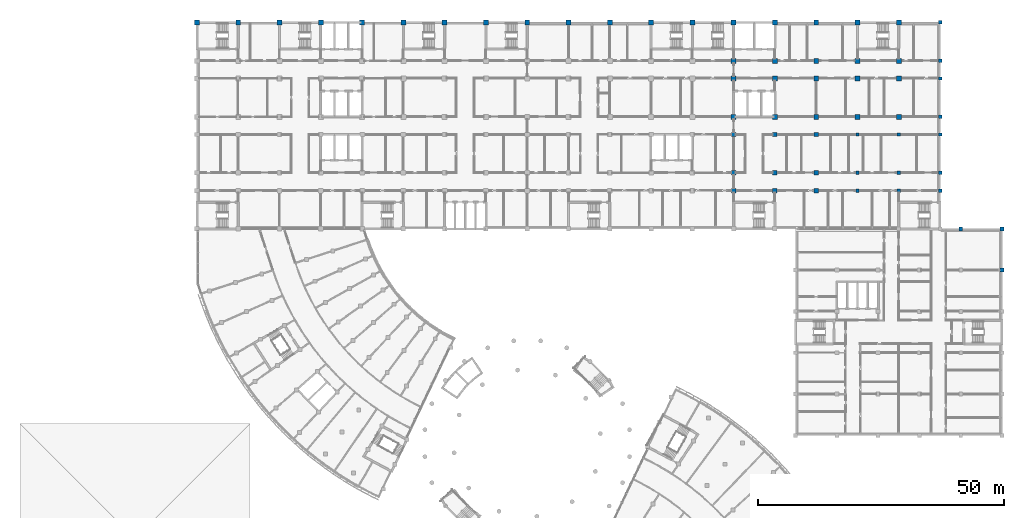
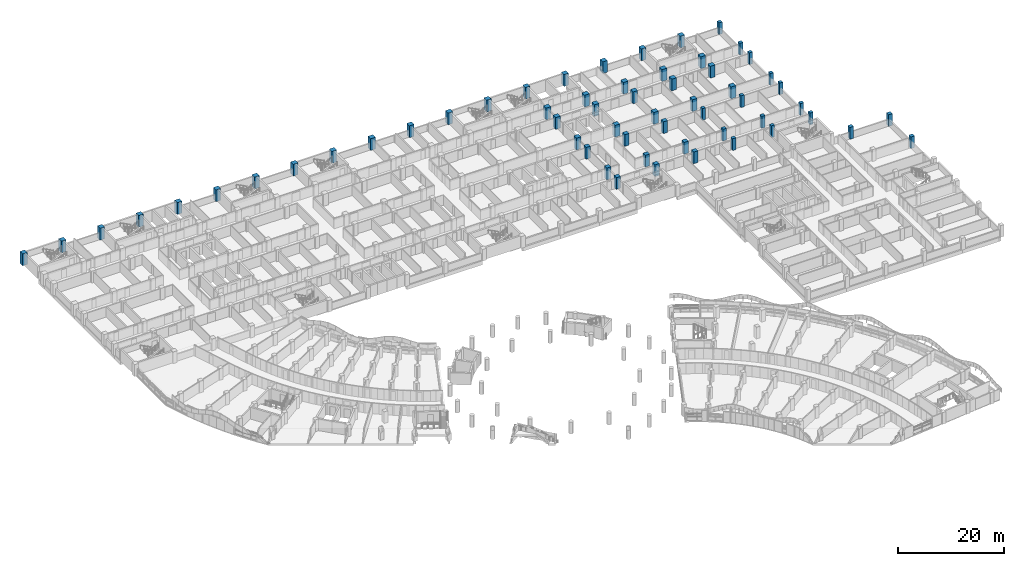
# One storey, part 2 of 89: 58 columns.
"""IFC4 building model written with IfcOpenShell, lengths in metres."""

from ifc_helpers import new_model, si_unit, direction, frame, origin, origin_2d, place, context, subcontext, project, spatial, rectangle, extrude, material, material_profile, profile_set, type_object, element, save


model = new_model("IFC4")

# Units and contexts
model_context = context("Model", 3, precision=1e-05, world=origin(), true_north=direction((0.0, 1.0)))
body_context = subcontext(model_context, "Body", "Model", "MODEL_VIEW")
ifc_project = project(units=[si_unit("LENGTHUNIT", "METRE"), si_unit("AREAUNIT", "SQUARE_METRE"), si_unit("VOLUMEUNIT", "CUBIC_METRE"), si_unit("PLANEANGLEUNIT", "RADIAN"), si_unit("MASSUNIT", "GRAM", prefix="KILO")], contexts=[model_context])

# Site, building, storey
site_placement = place(None, origin())
site = spatial("IfcSite", under=ifc_project, at=site_placement, CompositionType="ELEMENT")
building_placement = place(site_placement, origin())
building = spatial("IfcBuilding", under=site, at=building_placement, Name="Bougainvillea Quay General Hospital", CompositionType="ELEMENT")
storey_placement = place(building_placement, frame((0.0, 0.0, 9.89990234375)))
storey = spatial("IfcBuildingStorey", under=building, at=storey_placement, Name="L01M", CompositionType="ELEMENT", Elevation=9.89990234375)

# Columns
ifc_material = material(Name="Concrete C50", Category="concrete")
ifc_material_profile_1 = material_profile(ifc_material, rectangle(XDim=1.0, YDim=1.0, at=origin_2d()))
ifc_profile_set_1 = profile_set([ifc_material_profile_1], Name="Concrete C50")
column_type_1 = type_object("IfcColumnType", Name="RC COL 1000x1000 C50", PredefinedType="COLUMN", material=ifc_profile_set_1)
for number, where, z_axis, x_axis, name in (
    (1, (42.0, 159.60009765625, 0.0), (0.0, 0.0, 1.0), (1.0, 0.0, 0.0), "Column C-V4-007 L01M"),
    (2, (50.39990234375, 159.60009765625, 0.0), (0.0, 0.0, 1.0), (1.0, 0.0, 0.0), "Column C-V4-017 L01M"),
    (3, (58.800048828125, 159.60009765625, 0.0), (0.0, 0.0, 1.0), (1.0, 0.0, 0.0), "Column C-V4-027 L01M"),
    (4, (67.199951171875, 159.60009765625, 0.0), (0.0, 0.0, 1.0), (1.0, 0.0, 0.0), "Column C-V4-037 L01M"),
    (5, (75.60009765625, 159.60009765625, 0.0), (0.0, 0.0, 1.0), (1.0, 0.0, 0.0), "Column C-V4-047 L01M"),
    (6, (84.0, 159.60009765625, 0.0), (0.0, 0.0, 1.0), (1.0, 0.0, 0.0), "Column C-V4-057 L01M"),
    (7, (92.39990234375, 159.60009765625, 0.0), (0.0, 0.0, 1.0), (1.0, 0.0, 0.0), "Column C-V4-067 L01M"),
    (8, (100.800048828125, 159.60009765625, 0.0), (0.0, 0.0, 1.0), (1.0, 0.0, 0.0), "Column C-V4-077 L01M"),
    (9, (109.199951171875, 159.60009765625, 0.0), (0.0, 0.0, 1.0), (1.0, 0.0, 0.0), "Column C-V4-087 L01M"),
    (10, (117.60009765625, 159.60009765625, 0.0), (0.0, 0.0, 1.0), (1.0, 0.0, 0.0), "Column C-V4-097 L01M"),
    (11, (126.0, 159.60009765625, 0.0), (0.0, 0.0, 1.0), (1.0, 0.0, 0.0), "Column C-V4-107 L01M"),
    (12, (134.39990234375, 159.60009765625, 0.0), (0.0, 0.0, 1.0), (1.0, 0.0, 0.0), "Column C-V4-117 L01M"),
    (13, (142.800048828125, 159.60009765625, 0.0), (0.0, 0.0, 1.0), (1.0, 0.0, 0.0), "Column C-V4-127 L01M"),
    (14, (151.199951171875, 140.39990234375, 0.0), (0.0, 0.0, 1.0), (1.0, 0.0, 0.0), "Column C-V4-134 L01M"),
    (15, (151.199951171875, 148.199951171875, 0.0), (0.0, 0.0, 1.0), (1.0, 0.0, 0.0), "Column C-V4-135 L01M"),
    (16, (151.199951171875, 151.800048828125, 0.0), (0.0, 0.0, 1.0), (1.0, 0.0, 0.0), "Column C-V4-136 L01M"),
    (17, (151.199951171875, 159.60009765625, 0.0), (0.0, 0.0, 1.0), (1.0, 0.0, 0.0), "Column C-V4-137 L01M"),
    (18, (159.60009765625, 140.39990234375, 0.0), (0.0, 0.0, 1.0), (1.0, 0.0, 0.0), "Column C-V4-144 L01M"),
    (19, (159.60009765625, 148.199951171875, 0.0), (0.0, 0.0, 1.0), (1.0, 0.0, 0.0), "Column C-V4-145 L01M"),
    (20, (159.60009765625, 151.800048828125, 0.0), (0.0, 0.0, 1.0), (1.0, 0.0, 0.0), "Column C-V4-146 L01M"),
    (21, (159.60009765625, 159.60009765625, 0.0), (0.0, 0.0, 1.0), (1.0, 0.0, 0.0), "Column C-V4-147 L01M"),
    (22, (168.0, 140.39990234375, 0.0), (0.0, 0.0, 1.0), (1.0, 0.0, 0.0), "Column C-V4-154 L01M"),
    (23, (168.0, 148.199951171875, 0.0), (0.0, 0.0, 1.0), (1.0, 0.0, 0.0), "Column C-V4-155 L01M"),
    (24, (168.0, 151.800048828125, 0.0), (0.0, 0.0, 1.0), (1.0, 0.0, 0.0), "Column C-V4-156 L01M"),
    (25, (168.0, 159.60009765625, 0.0), (0.0, 0.0, 1.0), (1.0, 0.0, 0.0), "Column C-V4-157 L01M"),
    (26, (176.39990234375, 140.39990234375, 0.0), (0.0, 0.0, 1.0), (1.0, 0.0, 0.0), "Column C-V4-164 L01M"),
    (27, (176.39990234375, 148.199951171875, 0.0), (0.0, 0.0, 1.0), (1.0, 0.0, 0.0), "Column C-V4-165 L01M"),
    (28, (176.39990234375, 151.800048828125, 0.0), (0.0, 0.0, 1.0), (1.0, 0.0, 0.0), "Column C-V4-166 L01M"),
    (29, (176.39990234375, 159.60009765625, 0.0), (0.0, 0.0, 1.0), (1.0, 0.0, 0.0), "Column C-V4-167 L01M"),
    (30, (184.800048828125, 140.39990234375, 0.0), (0.0, 0.0, 1.0), (1.0, 0.0, 0.0), "Column C-V4-174 L01M"),
    (31, (184.800048828125, 148.199951171875, 0.0), (0.0, 0.0, 1.0), (1.0, 0.0, 0.0), "Column C-V4-175 L01M"),
    (32, (184.800048828125, 151.800048828125, 0.0), (0.0, 0.0, 1.0), (1.0, 0.0, 0.0), "Column C-V4-176 L01M"),
    (33, (184.800048828125, 159.60009765625, 0.0), (0.0, 0.0, 1.0), (1.0, 0.0, 0.0), "Column C-V4-177 L01M"),
):
    element("IfcColumn", number, at=place(storey_placement, frame(where, z_axis=z_axis, x_axis=x_axis)), inside=storey, type_object=column_type_1, Name=name, PredefinedType="COLUMN", context=body_context, shape_type="SweptSolid", body=[
        extrude(rectangle(XDim=1.0, YDim=1.0, at=origin_2d()), origin(), (0.0, 0.0, 1.0), 2.7001953125),
    ])
ifc_material_profile_2 = material_profile(ifc_material, rectangle(XDim=0.699951171875, YDim=0.699951171875, at=origin_2d()))
ifc_profile_set_2 = profile_set([ifc_material_profile_2], Name="Concrete C50")
column_type_2 = type_object("IfcColumnType", Name="RC COL 700x700 C50", PredefinedType="COLUMN", material=ifc_profile_set_2)
for number, where, z_axis, x_axis, name in (
    (34, (176.39990234375, 125.39990234375, 0.0), (0.0, 0.0, 1.0), (1.0, 0.0, 0.0), "Column C-V4-161 L01M"),
    (35, (176.39990234375, 129.0, 0.0), (0.0, 0.0, 1.0), (1.0, 0.0, 0.0), "Column C-V4-162 L01M"),
    (36, (176.39990234375, 136.800048828125, 0.0), (0.0, 0.0, 1.0), (1.0, 0.0, 0.0), "Column C-V4-163 L01M"),
    (37, (184.800048828125, 125.39990234375, 0.0), (0.0, 0.0, 1.0), (1.0, 0.0, 0.0), "Column C-V4-171 L01M"),
    (38, (184.800048828125, 129.0, 0.0), (0.0, 0.0, 1.0), (1.0, 0.0, 0.0), "Column C-V4-172 L01M"),
    (39, (184.800048828125, 136.800048828125, 0.0), (0.0, 0.0, 1.0), (1.0, 0.0, 0.0), "Column C-V4-173 L01M"),
    (40, (193.199951171875, 125.39990234375, 0.0), (0.0, 0.0, 1.0), (1.0, 0.0, 0.0), "Column C-V4-181 L01M"),
    (41, (193.199951171875, 129.0, 0.0), (0.0, 0.0, 1.0), (1.0, 0.0, 0.0), "Column C-V4-182 L01M"),
    (42, (193.199951171875, 136.800048828125, 0.0), (0.0, 0.0, 1.0), (1.0, 0.0, 0.0), "Column C-V4-183 L01M"),
    (43, (193.199951171875, 140.39990234375, 0.0), (0.0, 0.0, 1.0), (1.0, 0.0, 0.0), "Column C-V4-184 L01M"),
    (44, (193.199951171875, 148.199951171875, 0.0), (0.0, 0.0, 1.0), (1.0, 0.0, 0.0), "Column C-V4-185 L01M"),
    (45, (193.199951171875, 151.800048828125, 0.0), (0.0, 0.0, 1.0), (1.0, 0.0, 0.0), "Column C-V4-186 L01M"),
    (46, (193.199951171875, 159.60009765625, 0.0), (0.0, 0.0, 1.0), (1.0, 0.0, 0.0), "Column C-V4-187 L01M"),
):
    element("IfcColumn", number, at=place(storey_placement, frame(where, z_axis=z_axis, x_axis=x_axis)), inside=storey, type_object=column_type_2, Name=name, PredefinedType="COLUMN", context=body_context, shape_type="SweptSolid", body=[
        extrude(rectangle(XDim=0.699951171875, YDim=0.699951171875, at=origin_2d()), origin(), (0.0, 0.0, 1.0), 2.7001953125),
    ])
ifc_material_profile_3 = material_profile(ifc_material, rectangle(XDim=0.800048828125, YDim=0.800048828125, at=origin_2d()))
ifc_profile_set_3 = profile_set([ifc_material_profile_3], Name="Concrete C50")
column_type_3 = type_object("IfcColumnType", Name="RC COL 800x800 C50", PredefinedType="COLUMN", material=ifc_profile_set_3)
for number, where, z_axis, x_axis, name in (
    (47, (197.39990234375, 117.60009765625, 0.0), (0.0, 0.0, 1.0), (1.0, 0.0, 0.0), "Column C-V3-45 L01M"),
    (48, (205.800048828125, 109.199951171875, 0.0), (0.0, 0.0, 1.0), (1.0, 0.0, 0.0), "Column C-V3-54 L01M"),
    (49, (205.800048828125, 117.60009765625, 0.0), (0.0, 0.0, 1.0), (1.0, 0.0, 0.0), "Column C-V3-55 L01M"),
):
    element("IfcColumn", number, at=place(storey_placement, frame(where, z_axis=z_axis, x_axis=x_axis)), inside=storey, type_object=column_type_3, Name=name, PredefinedType="COLUMN", context=body_context, shape_type="SweptSolid", body=[
        extrude(rectangle(XDim=0.800048828125, YDim=0.800048828125, at=origin_2d()), origin(), (0.0, 0.0, 1.0), 2.7001953125),
    ])
ifc_material_profile_4 = material_profile(ifc_material, rectangle(XDim=0.89990234375, YDim=0.89990234375, at=origin_2d()))
ifc_profile_set_4 = profile_set([ifc_material_profile_4], Name="Concrete C50")
column_type_4 = type_object("IfcColumnType", Name="RC COL 900x900 C50", PredefinedType="COLUMN", material=ifc_profile_set_4)
for number, where, z_axis, x_axis, name in (
    (50, (151.199951171875, 125.39990234375, 0.0), (0.0, 0.0, 1.0), (1.0, 0.0, 0.0), "Column C-V4-131 L01M"),
    (51, (151.199951171875, 129.0, 0.0), (0.0, 0.0, 1.0), (1.0, 0.0, 0.0), "Column C-V4-132 L01M"),
    (52, (151.199951171875, 136.800048828125, 0.0), (0.0, 0.0, 1.0), (1.0, 0.0, 0.0), "Column C-V4-133 L01M"),
    (53, (159.60009765625, 125.39990234375, 0.0), (0.0, 0.0, 1.0), (1.0, 0.0, 0.0), "Column C-V4-141 L01M"),
    (54, (159.60009765625, 129.0, 0.0), (0.0, 0.0, 1.0), (1.0, 0.0, 0.0), "Column C-V4-142 L01M"),
    (55, (159.60009765625, 136.800048828125, 0.0), (0.0, 0.0, 1.0), (1.0, 0.0, 0.0), "Column C-V4-143 L01M"),
    (56, (168.0, 125.39990234375, 0.0), (0.0, 0.0, 1.0), (1.0, 0.0, 0.0), "Column C-V4-151 L01M"),
    (57, (168.0, 129.0, 0.0), (0.0, 0.0, 1.0), (1.0, 0.0, 0.0), "Column C-V4-152 L01M"),
    (58, (168.0, 136.800048828125, 0.0), (0.0, 0.0, 1.0), (1.0, 0.0, 0.0), "Column C-V4-153 L01M"),
):
    element("IfcColumn", number, at=place(storey_placement, frame(where, z_axis=z_axis, x_axis=x_axis)), inside=storey, type_object=column_type_4, Name=name, PredefinedType="COLUMN", context=body_context, shape_type="SweptSolid", body=[
        extrude(rectangle(XDim=0.89990234375, YDim=0.89990234375, at=origin_2d()), origin(), (0.0, 0.0, 1.0), 2.7001953125),
    ])

save(model, "model.ifc")
